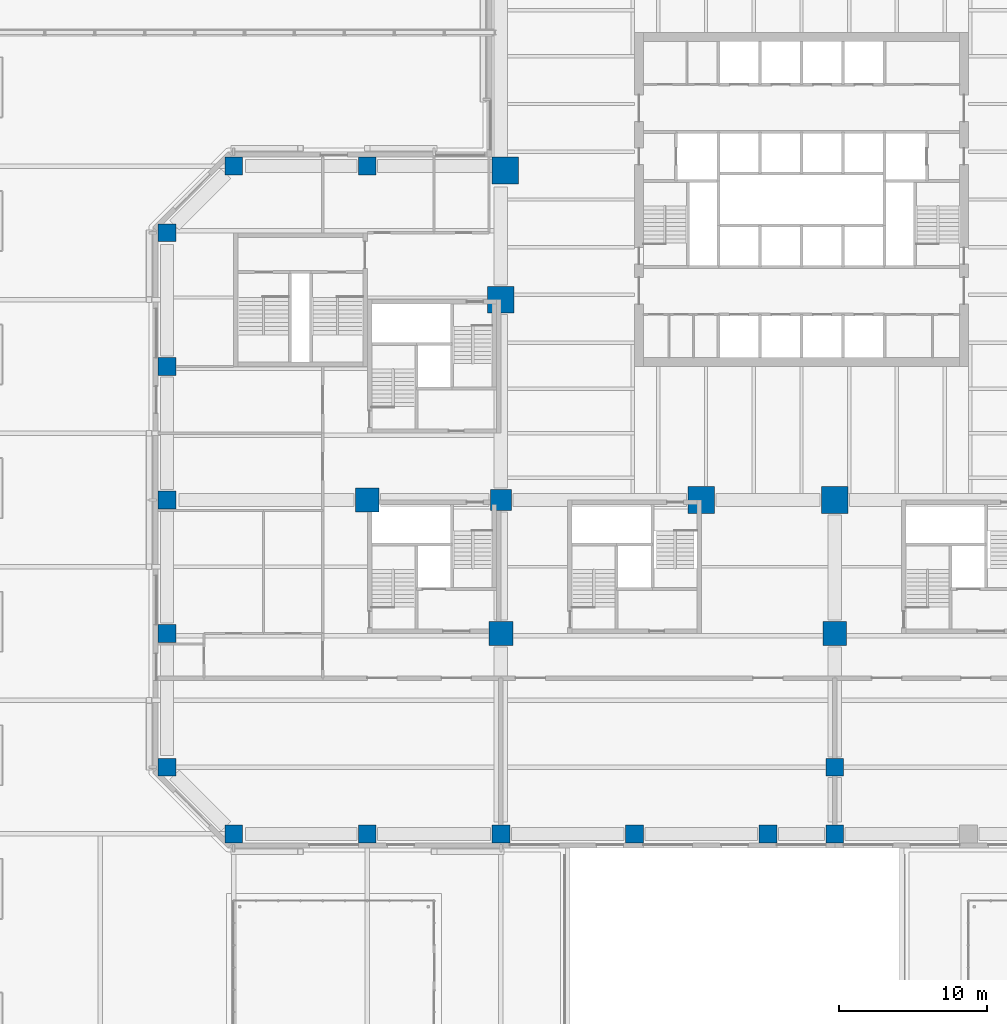
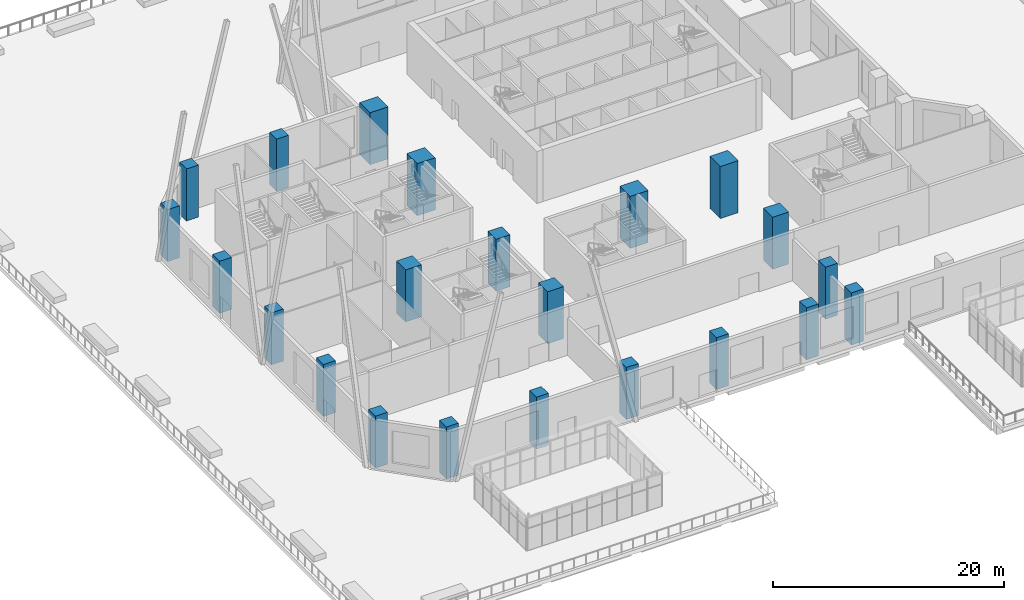
# One storey, part 2 of 33: 22 columns.
"""IFC4 building model written with IfcOpenShell, lengths in metres."""

import ifcopenshell
import ifcopenshell.guid

model = None  # the IFC model being written
_history = None  # IfcOwnerHistory: only IFC2X3 demands one
_inside = {}  # id of a spatial element -> (the spatial element, [elements in it])
_under = {}  # id of a project, library or spatial element -> (it, [spatial elements below it])
_declared = {}  # id of a project -> (the project, [libraries it declares])
_typed = {}  # id of a type object -> (the type object, [elements of that type])
_made_of = {}  # id of a material, layer set ... -> (it, [elements and type objects made of it])


def new_model(schema):
    """Start an empty IFC model of exactly this schema.

    Asked for "IFC4X3", IfcOpenShell would pick the latest addendum, in which some entities
    have other attributes; the version numbers below select the first issue.
    IFC2X3 requires an IfcOwnerHistory on every rooted entity: one is made here for all.
    """
    global model, _history
    if schema == "IFC4X3":
        model = ifcopenshell.file(schema_version=(4, 3, 0, 0))
    else:
        model = ifcopenshell.file(schema=schema)
    _inside.clear()
    _under.clear()
    _declared.clear()
    _typed.clear()
    _made_of.clear()
    _history = None
    if model.schema == "IFC2X3":
        org = make("IfcOrganization", Name="unknown")
        user = make(
            "IfcPersonAndOrganization",
            ThePerson=make("IfcPerson", FamilyName="unknown"),
            TheOrganization=org,
        )
        app = make(
            "IfcApplication",
            ApplicationDeveloper=org,
            Version="unknown",
            ApplicationFullName="unknown",
            ApplicationIdentifier="unknown",
        )
        _history = make(
            "IfcOwnerHistory",
            OwningUser=user,
            OwningApplication=app,
            ChangeAction="ADDED",
            CreationDate=0,
        )
    return model


def make(cls, **values):
    """One entity of the class cls with the attributes given. An attribute that is None is left unset."""
    return model.create_entity(
        cls, **{name: value for name, value in values.items() if value is not None}
    )


def rooted(cls, **values):
    """An entity with a GlobalId (a new one), such as an element, a storey or a relation."""
    return make(cls, GlobalId=ifcopenshell.guid.new(), OwnerHistory=_history, **values)


def si_unit(unit_type, name, prefix=None):
    """IfcSIUnit, for example si_unit("LENGTHUNIT", "METRE", prefix="MILLI")."""
    return make("IfcSIUnit", UnitType=unit_type, Prefix=prefix, Name=name)


def assignment(units):
    """IfcUnitAssignment: the units of a project."""
    return None if units is None else make("IfcUnitAssignment", Units=units)


def point(xyz):
    """IfcCartesianPoint."""
    return None if xyz is None else make("IfcCartesianPoint", Coordinates=xyz)


def direction(xyz):
    """IfcDirection."""
    return None if xyz is None else make("IfcDirection", DirectionRatios=xyz)


def frame(location, z_axis=None, x_axis=None):
    """IfcAxis2Placement3D, a coordinate frame: its origin and axes. An axis left out is left unset."""
    return make(
        "IfcAxis2Placement3D",
        Location=point(location),
        Axis=direction(z_axis),
        RefDirection=direction(x_axis),
    )


def frame_2d(location, x_axis=None):
    """IfcAxis2Placement2D, a coordinate frame in the plane: its origin and x axis."""
    return make(
        "IfcAxis2Placement2D", Location=point(location), RefDirection=direction(x_axis)
    )


def origin():
    """The frame at (0, 0, 0) with its axes left unset."""
    return frame((0.0, 0.0, 0.0))


def origin_2d():
    """The frame at (0, 0) in the plane with its x axis left unset."""
    return frame_2d((0.0, 0.0))


def place(relative_to, where):
    """IfcLocalPlacement: puts the frame where relative to a parent placement (None: the world)."""
    return make(
        "IfcLocalPlacement", PlacementRelTo=relative_to, RelativePlacement=where
    )


def context(
    kind, dimensions, precision=None, world=None, true_north=None, identifier=None
):
    """IfcGeometricRepresentationContext, for example the 3D "Model" context."""
    return make(
        "IfcGeometricRepresentationContext",
        ContextIdentifier=identifier,
        ContextType=kind,
        CoordinateSpaceDimension=dimensions,
        Precision=precision,
        WorldCoordinateSystem=world,
        TrueNorth=true_north,
    )


def subcontext(parent, identifier, kind, view, scale=None):
    """IfcGeometricRepresentationSubContext, for example "Body" below "Model"."""
    return make(
        "IfcGeometricRepresentationSubContext",
        ContextIdentifier=identifier,
        ContextType=kind,
        ParentContext=parent,
        TargetScale=scale,
        TargetView=view,
    )


def project(units=None, contexts=None):
    """IfcProject with its units and contexts."""
    return rooted(
        "IfcProject",
        Name="project",
        RepresentationContexts=contexts,
        UnitsInContext=assignment(units),
    )


def spatial(cls, under=None, at=None, **own):
    """A site, building, storey or space (cls), placed at a placement, below another one or the project."""
    s = rooted(cls, ObjectPlacement=at, **own)
    if under is not None:
        _under.setdefault(under.id(), (under, []))[1].append(s)
    return s


def profile(cls, at=None, kind="AREA", **sizes):
    """A parametric profile (cls). Its sizes go by their IFC names, for example OverallWidth=200.0."""
    return make(cls, ProfileType=kind, Position=at, **sizes)


def rectangle(**sizes):
    """IfcRectangleProfileDef."""
    return profile("IfcRectangleProfileDef", **sizes)


def extrude(swept, where, along, depth):
    """IfcExtrudedAreaSolid: the profile swept, set in the frame where, extruded along a direction by depth."""
    return make(
        "IfcExtrudedAreaSolid",
        SweptArea=swept,
        Position=where,
        ExtrudedDirection=direction(along),
        Depth=depth,
    )


def shape(context_of_items, identifier, shape_type, items):
    """IfcShapeRepresentation: the items that make up one representation, for example the "Body"."""
    return make(
        "IfcShapeRepresentation",
        ContextOfItems=context_of_items,
        RepresentationIdentifier=identifier,
        RepresentationType=shape_type,
        Items=items,
    )


def material(Name=None, Category=None):
    """IfcMaterial."""
    return make("IfcMaterial", Name=Name, Category=Category)


def material_profile(
    of_material, cross_section, Name=None, Category=None, Priority=None
):
    """IfcMaterialProfile: a cross section and its material."""
    return make(
        "IfcMaterialProfile",
        Name=Name,
        Material=of_material,
        Profile=cross_section,
        Priority=Priority,
        Category=Category,
    )


def profile_set(profiles, Name=None, composite=None):
    """IfcMaterialProfileSet."""
    return make(
        "IfcMaterialProfileSet",
        Name=Name,
        MaterialProfiles=profiles,
        CompositeProfile=composite,
    )


def made_of(thing, what):
    """Note that an element or type object is made of a material, layer set ...; save() writes the relation."""
    if what is not None:
        _made_of.setdefault(what.id(), (what, []))[1].append(thing)
    return thing


def type_object(cls, material=None, **own):
    """A type object (cls), such as IfcWallType, which elements share."""
    return made_of(rooted(cls, **own), material)


def element(
    cls,
    number,
    at=None,
    inside=None,
    cuts=None,
    type_object=None,
    material=None,
    context=None,
    identifier="Body",
    shape_type=None,
    held_by="IfcProductDefinitionShape",
    body=None,
    shapes=None,
    **own,
):
    """One element of the class cls, such as IfcWall. Its Tag is "e" and its number.

    at: its placement. inside: the storey or other place that contains it. cuts: it is an
    opening in that element (IfcRelVoidsElement). A single representation is given by context,
    identifier, shape_type and body (its items); several are given by shapes. held_by: the class
    of the entity that holds the representations. save() writes the other relations.
    """
    e = rooted(cls, Tag="e%d" % number, ObjectPlacement=at, **own)
    if body is not None:
        shapes = [shape(context, identifier, shape_type, body)]
    if shapes is not None:
        e.Representation = make(held_by, Representations=shapes)
    if inside is not None:
        _inside.setdefault(inside.id(), (inside, []))[1].append(e)
    if cuts is not None:
        rooted(
            "IfcRelVoidsElement", RelatingBuildingElement=cuts, RelatedOpeningElement=e
        )
    if type_object is not None:
        _typed.setdefault(type_object.id(), (type_object, []))[1].append(e)
    return made_of(e, material)


def aggregate(whole, parts):
    """IfcRelAggregates: a whole, such as a stair, and the parts it consists of."""
    return rooted("IfcRelAggregates", RelatingObject=whole, RelatedObjects=parts)


def save(model, path):
    """Write the relations noted so far, then the file.

    IfcRelAggregates (storeys below a building ...), IfcRelContainedInSpatialStructure (elements
    in a storey), IfcRelDefinesByType, IfcRelAssociatesMaterial and IfcRelDeclares: one each for
    every whole, place, type object, material and project.
    """
    for whole, parts in _under.values():
        aggregate(whole, parts)
    for where, things in _inside.values():
        rooted(
            "IfcRelContainedInSpatialStructure",
            RelatedElements=things,
            RelatingStructure=where,
        )
    for kind, things in _typed.values():
        rooted("IfcRelDefinesByType", RelatedObjects=things, RelatingType=kind)
    for what, things in _made_of.values():
        rooted("IfcRelAssociatesMaterial", RelatedObjects=things, RelatingMaterial=what)
    for by, libraries in _declared.values():
        rooted("IfcRelDeclares", RelatingContext=by, RelatedDefinitions=libraries)
    model.write(path)


model = new_model("IFC4")

# Units and contexts
model_context = context("Model", 3, precision=1e-05, world=origin(), true_north=direction((0.0, 1.0)))
body_context = subcontext(model_context, "Body", "Model", "MODEL_VIEW")
ifc_project = project(units=[si_unit("LENGTHUNIT", "METRE"), si_unit("AREAUNIT", "SQUARE_METRE"), si_unit("VOLUMEUNIT", "CUBIC_METRE"), si_unit("PLANEANGLEUNIT", "RADIAN"), si_unit("MASSUNIT", "GRAM", prefix="KILO")], contexts=[model_context])

# Site, building, storey
site_placement = place(None, origin())
site = spatial("IfcSite", under=ifc_project, at=site_placement, CompositionType="ELEMENT")
building_placement = place(site_placement, origin())
building = spatial("IfcBuilding", under=site, at=building_placement, Name="Quoin Convention Tower", CompositionType="ELEMENT")
storey_placement = place(building_placement, frame((0.0, 0.0, 8.0)))
storey = spatial("IfcBuildingStorey", under=building, at=storey_placement, Name="L01", CompositionType="ELEMENT", Elevation=8.0)

# Columns
ifc_material = material(Name="Concrete C100 (100 MPa)", Category="concrete")
ifc_material_profile_1 = material_profile(ifc_material, rectangle(XDim=1.199951171875, YDim=1.199951171875, at=origin_2d()), Name="RC 1200x1200")
ifc_profile_set_1 = profile_set([ifc_material_profile_1], Name="Concrete C100 (100 MPa)")
column_type_1 = type_object("IfcColumnType", Name="RC 1200x1200 C100", PredefinedType="COLUMN", material=ifc_profile_set_1)
for number, where, z_axis, x_axis, name in (
    (1, (18.0, 18.0, 0.0), (0.0, 0.0, 1.0), (1.0, 0.0, 0.0), "col-L01-18000_18000"),
    (2, (27.0, 18.0, 0.0), (0.0, 0.0, 1.0), (1.0, 0.0, 0.0), "col-L01-27000_18000"),
    (3, (36.0, 18.0, 0.0), (0.0, 0.0, 1.0), (1.0, 0.0, 0.0), "col-L01-36000_18000"),
    (4, (45.0, 18.0, 0.0), (0.0, 0.0, 1.0), (1.0, 0.0, 0.0), "col-L01-45000_18000"),
    (5, (54.0, 18.0, 0.0), (0.0, 0.0, 1.0), (1.0, 0.0, 0.0), "col-L01-54000_18000"),
    (6, (58.5, 18.0, 0.0), (0.0, 0.0, 1.0), (1.0, 0.0, 0.0), "col-L01-58500_18000"),
    (7, (13.5, 22.5, 0.0), (0.0, 0.0, 1.0), (1.0, 0.0, 0.0), "col-L01-13500_22500"),
    (8, (58.5, 22.5, 0.0), (0.0, 0.0, 1.0), (1.0, 0.0, 0.0), "web-L01-58500_22500"),
    (9, (13.5, 31.5, 0.0), (0.0, 0.0, 1.0), (1.0, 0.0, 0.0), "col-L01-13500_31500"),
    (10, (13.5, 40.5, 0.0), (0.0, 0.0, 1.0), (1.0, 0.0, 0.0), "col-L01-13500_40500"),
    (11, (13.5, 49.5, 0.0), (0.0, 0.0, 1.0), (1.0, 0.0, 0.0), "col-L01-13500_49500"),
    (12, (13.5, 58.5, 0.0), (0.0, 0.0, 1.0), (1.0, 0.0, 0.0), "col-L01-13500_58500"),
    (13, (18.0, 63.0, 0.0), (0.0, 0.0, 1.0), (1.0, 0.0, 0.0), "col-L01-18000_63000"),
    (14, (27.0, 63.0, 0.0), (0.0, 0.0, 1.0), (1.0, 0.0, 0.0), "col-L01-27000_63000"),
):
    element("IfcColumn", number, at=place(storey_placement, frame(where, z_axis=z_axis, x_axis=x_axis)), inside=storey, type_object=column_type_1, Name=name, PredefinedType="COLUMN", context=body_context, shape_type="SweptSolid", body=[
        extrude(rectangle(XDim=1.199951171875, YDim=1.199951171875, at=origin_2d()), origin(), (0.0, 0.0, 1.0), 5.5),
    ])
ifc_material_profile_2 = material_profile(ifc_material, rectangle(XDim=1.39990234375, YDim=1.39990234375, at=origin_2d()), Name="RC 1400x1400")
ifc_profile_set_2 = profile_set([ifc_material_profile_2], Name="Concrete C100 (100 MPa)")
column_type_2 = type_object("IfcColumnType", Name="RC 1400x1400 C100", PredefinedType="COLUMN", material=ifc_profile_set_2)
column_placement = place(storey_placement, frame((36.0, 40.5, 0.0), z_axis=(0.0, 0.0, 1.0), x_axis=(1.0, 0.0, 0.0)))
element("IfcColumn", 15, at=column_placement, inside=storey, type_object=column_type_2, Name="web-L01-36000_40500", PredefinedType="COLUMN", context=body_context, shape_type="SweptSolid", body=[
    extrude(rectangle(XDim=1.39990234375, YDim=1.39990234375, at=origin_2d()), origin(), (0.0, 0.0, 1.0), 5.5),
])
ifc_material_profile_3 = material_profile(ifc_material, rectangle(XDim=1.60009765625, YDim=1.60009765625, at=origin_2d()), Name="RC 1600x1600")
ifc_profile_set_3 = profile_set([ifc_material_profile_3], Name="Concrete C100 (100 MPa)")
column_type_3 = type_object("IfcColumnType", Name="RC 1600x1600 C100", PredefinedType="COLUMN", material=ifc_profile_set_3)
for number, where, z_axis, x_axis, name in (
    (16, (36.0, 31.5, 0.0), (0.0, 0.0, 1.0), (1.0, 0.0, 0.0), "web-L01-36000_31500"),
    (17, (58.5, 31.5, 0.0), (0.0, 0.0, 1.0), (1.0, 0.0, 0.0), "web-L01-58500_31500"),
    (18, (27.0, 40.5, 0.0), (0.0, 0.0, 1.0), (1.0, 0.0, 0.0), "web-L01-27000_40500"),
):
    element("IfcColumn", number, at=place(storey_placement, frame(where, z_axis=z_axis, x_axis=x_axis)), inside=storey, type_object=column_type_3, Name=name, PredefinedType="COLUMN", context=body_context, shape_type="SweptSolid", body=[
        extrude(rectangle(XDim=1.60009765625, YDim=1.60009765625, at=origin_2d()), origin(), (0.0, 0.0, 1.0), 5.5),
    ])
ifc_material_profile_4 = material_profile(ifc_material, rectangle(XDim=1.800048828125, YDim=1.800048828125, at=origin_2d()), Name="RC 1800x1800")
ifc_profile_set_4 = profile_set([ifc_material_profile_4], Name="Concrete C100 (100 MPa)")
column_type_4 = type_object("IfcColumnType", Name="RC 1800x1800 C100", PredefinedType="COLUMN", material=ifc_profile_set_4)
for number, where, z_axis, x_axis, name in (
    (19, (49.5, 40.5, 0.0), (0.0, 0.0, 1.0), (1.0, 0.0, 0.0), "web-L01-49500_40500"),
    (20, (58.5, 40.5, 0.0), (0.0, 0.0, 1.0), (1.0, 0.0, 0.0), "web-L01-58500_40500"),
    (21, (36.0, 54.0, 0.0), (0.0, 0.0, 1.0), (1.0, 0.0, 0.0), "web-L01-36000_54000"),
    (22, (36.300048828125, 62.699951171875, 0.0), (0.0, 0.0, 1.0), (1.0, 0.0, 0.0), "col-L01-36000_63000"),
):
    element("IfcColumn", number, at=place(storey_placement, frame(where, z_axis=z_axis, x_axis=x_axis)), inside=storey, type_object=column_type_4, Name=name, PredefinedType="COLUMN", context=body_context, shape_type="SweptSolid", body=[
        extrude(rectangle(XDim=1.800048828125, YDim=1.800048828125, at=origin_2d()), origin(), (0.0, 0.0, 1.0), 5.5),
    ])

save(model, "model.ifc")
